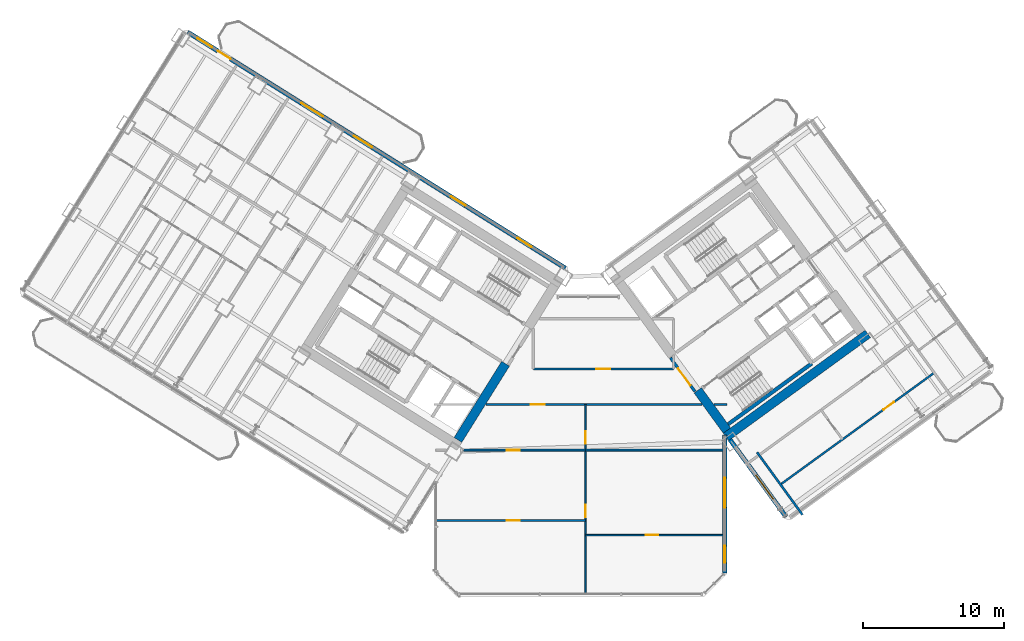
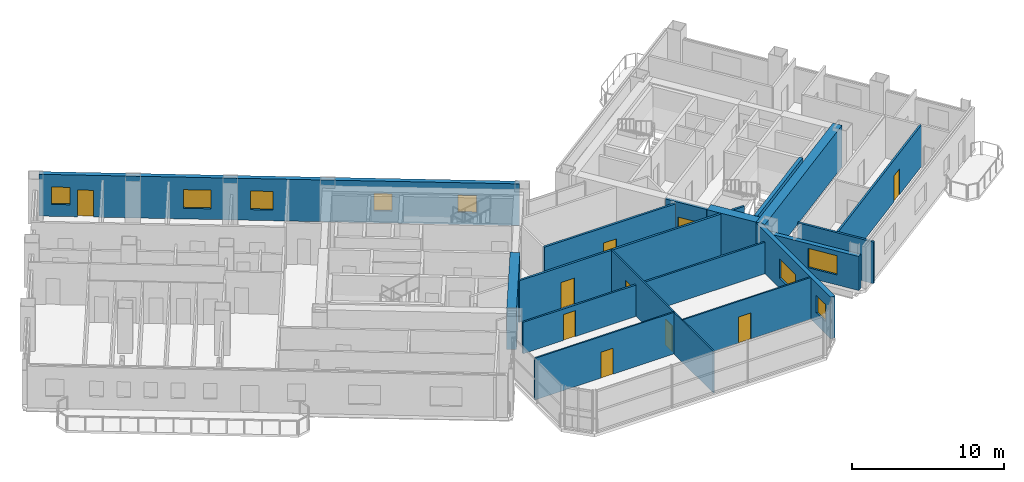
# One storey, part 17 of 28: 18 walls, 10 doors, 8 windows, 18 openings.
"""IFC4 building model written with IfcOpenShell, lengths in metres."""

from ifc_helpers import new_model, si_unit, direction, frame, frame_2d, origin, place, context, subcontext, project, spatial, rectangle, extrude, source, transform, mapped, material, layer, layer_set, type_object, element, fill, save


model = new_model("IFC4")

# Units and contexts
model_context = context("Model", 3, precision=1e-05, world=origin(), true_north=direction((0.0, 1.0)))
body_context = subcontext(model_context, "Body", "Model", "MODEL_VIEW")
ifc_project = project(units=[si_unit("LENGTHUNIT", "METRE"), si_unit("AREAUNIT", "SQUARE_METRE"), si_unit("VOLUMEUNIT", "CUBIC_METRE"), si_unit("PLANEANGLEUNIT", "RADIAN"), si_unit("MASSUNIT", "GRAM", prefix="KILO")], contexts=[model_context])

# Site, building, storey
site_placement = place(None, origin())
site = spatial("IfcSite", under=ifc_project, at=site_placement, CompositionType="ELEMENT")
building_placement = place(site_placement, origin())
building = spatial("IfcBuilding", under=site, at=building_placement, Name="Tlacorven Tower", CompositionType="ELEMENT")
storey_placement = place(building_placement, frame((0.0, 0.0, 63.60009765625)))
storey = spatial("IfcBuildingStorey", under=building, at=storey_placement, Name="L16", CompositionType="ELEMENT", Elevation=63.60009765625)

# Walls
ifc_material_1 = material(Name="Concrete C60/75", Category="concrete")
ifc_layer_1 = layer(ifc_material_1, 0.64990234375)
ifc_layer_set_1 = layer_set([ifc_layer_1], Name="Concrete C60/75")
wall_type_1 = type_object("IfcWallType", Name="WL-COR-650", PredefinedType="SHEAR", material=ifc_layer_set_1)
wall_1_placement = place(storey_placement, frame((36.683349609375, 18.30419921875, 0.0), z_axis=(0.0, 0.0, 1.0), x_axis=(-0.529899109053, -0.848060690178, 0.0)))
element("IfcWall", 1, at=wall_1_placement, inside=storey, type_object=wall_type_1, Name="L16 W core end wall E1.2", PredefinedType="SHEAR", context=body_context, shape_type="SweptSolid", body=[
    extrude(rectangle(XDim=6.375244140625, YDim=0.64990234375, at=frame_2d((3.1875, 0.0))), origin(), (0.0, 0.0, 1.0), 3.349853515625),
])
wall_2_placement = place(storey_placement, frame((52.318359375, 13.1103515625, 0.0), z_axis=(0.0, 0.0, 1.0), x_axis=(0.809019445368, 0.587781878776, 0.0)))
element("IfcWall", 2, at=wall_2_placement, inside=storey, type_object=wall_type_1, Name="L16 E core shear wall S1", PredefinedType="SHEAR", context=body_context, shape_type="SweptSolid", body=[
    extrude(rectangle(XDim=12.43994140625, YDim=0.64990234375, at=frame_2d((6.219970703125, 0.0))), origin(), (0.0, 0.0, 1.0), 3.349853515625),
])
wall_3_placement = place(storey_placement, frame((52.390380859375, 13.564208984375, 0.0), z_axis=(0.0, 0.0, 1.0), x_axis=(-0.58779688989, 0.809008539037, 0.0)))
element("IfcWall", 3, at=wall_3_placement, inside=storey, type_object=wall_type_1, Name="L16 E core end wall E1.1", PredefinedType="SHEAR", context=body_context, shape_type="SweptSolid", body=[
    extrude(rectangle(XDim=3.525146484375, YDim=0.64990234375, at=frame_2d((1.7626953125, 0.0))), origin(), (0.0, 0.0, 1.0), 3.349853515625),
])

# Wall, opening, door
ifc_material_2 = material(Name="Gypsum plasterboard acoustic partition", Category="gypsum")
ifc_layer_2 = layer(ifc_material_2, 0.159912109375)
ifc_layer_set_2 = layer_set([ifc_layer_2], Name="Gypsum plasterboard acoustic partition")
wall_type_2 = type_object("IfcWallType", Name="WL-DEM-160", PredefinedType="PARTITIONING", material=ifc_layer_set_2)
wall_4_placement = place(storey_placement, frame((35.29638671875, 15.419921875, 0.0), z_axis=(0.0, 0.0, 1.0), x_axis=(1.0, 0.0, 0.0)))
wall_4 = element("IfcWall", 4, at=wall_4_placement, inside=storey, type_object=wall_type_2, Name="L16 Knuckle Corridor South Wall", PredefinedType="PARTITIONING", context=body_context, shape_type="SweptSolid", body=[
    extrude(rectangle(XDim=15.310546875, YDim=0.159912109375, at=frame_2d((7.6552734375, 0.0))), origin(), (0.0, 0.0, 1.0), 3.33984375),
])
opening_1_placement = place(wall_4_placement, frame((3.17578125, 0.0, 0.0)))
opening_1 = element("IfcOpeningElement", 5, at=opening_1_placement, cuts=wall_4, Name="Opening D11", PredefinedType="OPENING", context=body_context, shape_type="SweptSolid", body=[
    extrude(rectangle(XDim=1.0, YDim=2.10009765625, at=frame_2d((0.5, 1.050048828125))), frame((0.0, 0.08984375, 0.0), z_axis=(0.0, -1.0, 0.0), x_axis=(1.0, 0.0, 0.0)), (0.0, 0.0, 1.0), 0.179931640625),
])
ifc_material_3 = material(Name="Fire-rated steel door assembly", Category="steel")
door_type_1 = type_object("IfcDoorType", Name="DR-FLT-FD60-1000", OperationType="NOTDEFINED", PredefinedType="DOOR", material=ifc_material_3)
shared_shape_1 = source(origin(), body_context, "Body", "SweptSolid", [
    extrude(rectangle(XDim=1.0, YDim=2.10009765625, at=frame_2d((0.5, 1.050048828125))), frame((0.0, 0.02490234375, 0.0), z_axis=(0.0, -1.0, 0.0), x_axis=(1.0, 0.0, 0.0)), (0.0, 0.0, 1.0), 0.050048828125),
])
door_1_placement = place(opening_1_placement, frame((1.0, 0.0, 0.0), z_axis=(0.0, 0.0, 1.0), x_axis=(-1.0, 0.0, 0.0)))
door_1 = element("IfcDoor", 6, at=door_1_placement, inside=storey, type_object=door_type_1, Name="L16 door 051", OperationType="SINGLE_SWING_LEFT", OverallHeight=2.10009765625, OverallWidth=1.0, PredefinedType="DOOR", context=body_context, shape_type="MappedRepresentation", body=[
    mapped(shared_shape_1, transform((0.0, 0.0, 0.0), scale=1.0)),
])
fill(opening_1, door_1)

# Wall
wall_5_placement = place(storey_placement, frame((51.477294921875, 15.419921875, 0.0), z_axis=(0.0, 0.0, 1.0), x_axis=(1.0, 0.0, 0.0)))
element("IfcWall", 7, at=wall_5_placement, inside=storey, type_object=wall_type_2, Name="L16 Knuckle Corridor South Wall", PredefinedType="PARTITIONING", context=body_context, shape_type="SweptSolid", body=[
    extrude(rectangle(XDim=0.922607421875, YDim=0.159912109375, at=frame_2d((0.46142578125, 0.0))), origin(), (0.0, 0.0, 1.0), 3.33984375),
])

# Wall, opening, door
wall_6_placement = place(storey_placement, frame((38.64990234375, 17.929931640625, 0.0), z_axis=(0.0, 0.0, 1.0), x_axis=(1.0, 0.0, 0.0)))
wall_6 = element("IfcWall", 8, at=wall_6_placement, inside=storey, type_object=wall_type_2, Name="L16 partition 79", PredefinedType="PARTITIONING", context=body_context, shape_type="SweptSolid", body=[
    extrude(rectangle(XDim=9.9501953125, YDim=0.159912109375, at=frame_2d((4.97509765625, 0.0))), origin(), (0.0, 0.0, 1.0), 3.33984375),
])
opening_2_placement = place(wall_6_placement, frame((4.47509765625, 0.0, 0.0)))
opening_2 = element("IfcOpeningElement", 9, at=opening_2_placement, cuts=wall_6, Name="Opening D11", PredefinedType="OPENING", context=body_context, shape_type="SweptSolid", body=[
    extrude(rectangle(XDim=1.0, YDim=2.10009765625, at=frame_2d((0.5, 1.050048828125))), frame((0.0, 0.08984375, 0.0), z_axis=(0.0, -1.0, 0.0), x_axis=(1.0, 0.0, 0.0)), (0.0, 0.0, 1.0), 0.179931640625),
])
door_2_placement = place(opening_2_placement, origin())
door_2 = element("IfcDoor", 10, at=door_2_placement, inside=storey, type_object=door_type_1, Name="L16 door 045", OperationType="SINGLE_SWING_LEFT", OverallHeight=2.10009765625, OverallWidth=1.0, PredefinedType="DOOR", context=body_context, shape_type="MappedRepresentation", body=[
    mapped(shared_shape_1, transform((0.0, 0.0, 0.0), scale=1.0)),
])
fill(opening_2, door_2)

# Wall
wall_7_placement = place(storey_placement, frame((57.747314453125, 7.586181640625, 0.0), z_axis=(0.0, 0.0, 1.0), x_axis=(-0.587784893399, 0.809017255126, 0.0)))
element("IfcWall", 11, at=wall_7_placement, inside=storey, type_object=wall_type_2, Name="L16 EC West Throat Wall", PredefinedType="PARTITIONING", context=body_context, shape_type="SweptSolid", body=[
    extrude(rectangle(XDim=5.480224609375, YDim=0.159912109375, at=frame_2d((2.740234375, 0.0))), origin(), (0.0, 0.0, 1.0), 3.33984375),
])

# Wall, openings, door, windows
ifc_material_4 = material(Name="Precast concrete C45/55", Category="concrete")
ifc_layer_3 = layer(ifc_material_4, 0.320068359375)
ifc_layer_set_3 = layer_set([ifc_layer_3], Name="Precast concrete C45/55")
wall_type_3 = type_object("IfcWallType", Name="WL-EXT-320", PredefinedType="STANDARD", material=ifc_layer_set_3)
wall_8_placement = place(storey_placement, frame((14.13818359375, 41.825439453125, 0.0), z_axis=(0.0, 0.0, 1.0), x_axis=(0.848046498049, -0.529921821731, 0.0)))
wall_8 = element("IfcWall", 12, at=wall_8_placement, inside=storey, type_object=wall_type_3, Name="L16 Masonry-Frame Recessed Facade Wall 3", PredefinedType="STANDARD", context=body_context, shape_type="SweptSolid", body=[
    extrude(rectangle(XDim=31.587646484375, YDim=0.320068359375, at=frame_2d((15.7939453125, 0.0))), origin(), (0.0, 0.0, 1.0), 3.349853515625),
])
opening_3_placement = place(wall_8_placement, frame((2.525634765625, 0.0, 0.0)))
opening_3 = element("IfcOpeningElement", 13, at=opening_3_placement, cuts=wall_8, Name="Opening D06", PredefinedType="OPENING", context=body_context, shape_type="SweptSolid", body=[
    extrude(rectangle(XDim=1.050048828125, YDim=2.14990234375, at=frame_2d((0.52490234375, 1.074951171875))), frame((0.0, 0.169921875, 0.0), z_axis=(0.0, -1.0, 0.0), x_axis=(1.0, 0.0, 0.0)), (0.0, 0.0, 1.0), 0.340087890625),
])
opening_4_placement = place(wall_8_placement, frame((0.82470703125, 0.0, 0.949951171875)))
opening_4 = element("IfcOpeningElement", 14, at=opening_4_placement, cuts=wall_8, Name="Opening WN03", PredefinedType="OPENING", context=body_context, shape_type="SweptSolid", body=[
    extrude(rectangle(XDim=1.199951171875, YDim=1.39990234375, at=frame_2d((0.60009765625, 0.699951171875))), frame((0.0, 0.169921875, 0.0), z_axis=(0.0, -1.0, 0.0), x_axis=(1.0, 0.0, 0.0)), (0.0, 0.0, 1.0), 0.340087890625),
])
opening_5_placement = place(wall_8_placement, frame((9.501708984375, 0.0, 0.85009765625)))
opening_5 = element("IfcOpeningElement", 15, at=opening_5_placement, cuts=wall_8, Name="Opening WN01", PredefinedType="OPENING", context=body_context, shape_type="SweptSolid", body=[
    extrude(rectangle(XDim=1.800048828125, YDim=1.5, at=frame_2d((0.89990234375, 0.75))), frame((0.0, 0.169921875, 0.0), z_axis=(0.0, -1.0, 0.0), x_axis=(1.0, 0.0, 0.0)), (0.0, 0.0, 1.0), 0.340087890625),
])
opening_6_placement = place(wall_8_placement, frame((13.898681640625, 0.0, 0.85009765625)))
opening_6 = element("IfcOpeningElement", 16, at=opening_6_placement, cuts=wall_8, Name="Opening WN02", PredefinedType="OPENING", context=body_context, shape_type="SweptSolid", body=[
    extrude(rectangle(XDim=1.5, YDim=1.5, at=frame_2d((0.75, 0.75))), frame((0.0, 0.169921875, 0.0), z_axis=(0.0, -1.0, 0.0), x_axis=(1.0, 0.0, 0.0)), (0.0, 0.0, 1.0), 0.340087890625),
])
opening_7_placement = place(wall_8_placement, frame((22.018798828125, 0.0, 0.949951171875)))
opening_7 = element("IfcOpeningElement", 17, at=opening_7_placement, cuts=wall_8, Name="Opening WN03", PredefinedType="OPENING", context=body_context, shape_type="SweptSolid", body=[
    extrude(rectangle(XDim=1.199951171875, YDim=1.39990234375, at=frame_2d((0.60009765625, 0.699951171875))), frame((0.0, 0.169921875, 0.0), z_axis=(0.0, -1.0, 0.0), x_axis=(1.0, 0.0, 0.0)), (0.0, 0.0, 1.0), 0.340087890625),
])
opening_8_placement = place(wall_8_placement, frame((27.568603515625, 0.0, 0.949951171875)))
opening_8 = element("IfcOpeningElement", 18, at=opening_8_placement, cuts=wall_8, Name="Opening WN03", PredefinedType="OPENING", context=body_context, shape_type="SweptSolid", body=[
    extrude(rectangle(XDim=1.199951171875, YDim=1.39990234375, at=frame_2d((0.60009765625, 0.699951171875))), frame((0.0, 0.169921875, 0.0), z_axis=(0.0, -1.0, 0.0), x_axis=(1.0, 0.0, 0.0)), (0.0, 0.0, 1.0), 0.340087890625),
])
ifc_material_5 = material(Name="Powder-coated aluminium and timber door", Category="wood")
door_type_2 = type_object("IfcDoorType", Name="DR-EXT-BALC-1050", OperationType="NOTDEFINED", PredefinedType="DOOR", material=ifc_material_5)
shared_shape_2 = source(origin(), body_context, "Body", "SweptSolid", [
    extrude(rectangle(XDim=1.050048828125, YDim=2.14990234375, at=frame_2d((0.52490234375, 1.074951171875))), frame((0.0, 0.02490234375, 0.0), z_axis=(0.0, -1.0, 0.0), x_axis=(1.0, 0.0, 0.0)), (0.0, 0.0, 1.0), 0.050048828125),
])
door_3_placement = place(opening_3_placement, origin())
door_3 = element("IfcDoor", 19, at=door_3_placement, inside=storey, type_object=door_type_2, Name="L16 Outdoor Access Door BAL-L16-W-IN", OperationType="SINGLE_SWING_RIGHT", OverallHeight=2.14990234375, OverallWidth=1.050048828125, PredefinedType="DOOR", context=body_context, shape_type="MappedRepresentation", body=[
    mapped(shared_shape_2, transform((0.0, 0.0, 0.0), scale=1.0)),
])
fill(opening_3, door_3)
ifc_material_6 = material(Name="Dark solar low-E double glazing in anodised aluminium frame", Category="aluminium")
window_type_1 = type_object("IfcWindowType", Name="WN-APT-1200X1500", PartitioningType="SINGLE_PANEL", PredefinedType="WINDOW", material=ifc_material_6)
shared_shape_3 = source(origin(), body_context, "Body", "SweptSolid", [
    extrude(rectangle(XDim=1.199951171875, YDim=1.39990234375, at=frame_2d((0.60009765625, 0.699951171875))), frame((0.0, 0.030029296875, 0.0), z_axis=(0.0, -1.0, 0.0), x_axis=(1.0, 0.0, 0.0)), (0.0, 0.0, 1.0), 0.06005859375),
])
window_1_placement = place(opening_4_placement, origin())
window_1 = element("IfcWindow", 20, at=window_1_placement, inside=storey, type_object=window_type_1, Name="L16 Recessed Masonry-Frame Window L16-03.1", OverallHeight=1.39990234375, OverallWidth=1.199951171875, PartitioningType="SINGLE_PANEL", PredefinedType="WINDOW", context=body_context, shape_type="MappedRepresentation", body=[
    mapped(shared_shape_3, transform((0.0, 0.0, 0.0), scale=1.0)),
])
fill(opening_4, window_1)
window_2_placement = place(opening_7_placement, origin())
window_2 = element("IfcWindow", 21, at=window_2_placement, inside=storey, type_object=window_type_1, Name="L16 Recessed Masonry-Frame Window L16-03.4", OverallHeight=1.39990234375, OverallWidth=1.199951171875, PartitioningType="SINGLE_PANEL", PredefinedType="WINDOW", context=body_context, shape_type="MappedRepresentation", body=[
    mapped(shared_shape_3, transform((0.0, 0.0, 0.0), scale=1.0)),
])
fill(opening_7, window_2)
window_3_placement = place(opening_8_placement, origin())
window_3 = element("IfcWindow", 22, at=window_3_placement, inside=storey, type_object=window_type_1, Name="L16 Recessed Masonry-Frame Window L16-03.5", OverallHeight=1.39990234375, OverallWidth=1.199951171875, PartitioningType="SINGLE_PANEL", PredefinedType="WINDOW", context=body_context, shape_type="MappedRepresentation", body=[
    mapped(shared_shape_3, transform((0.0, 0.0, 0.0), scale=1.0)),
])
fill(opening_8, window_3)
window_type_2 = type_object("IfcWindowType", Name="WN-APT-1800X1650", PartitioningType="SINGLE_PANEL", PredefinedType="WINDOW", material=ifc_material_6)
shared_shape_4 = source(origin(), body_context, "Body", "SweptSolid", [
    extrude(rectangle(XDim=1.800048828125, YDim=1.5, at=frame_2d((0.89990234375, 0.75))), frame((0.0, 0.030029296875, 0.0), z_axis=(0.0, -1.0, 0.0), x_axis=(1.0, 0.0, 0.0)), (0.0, 0.0, 1.0), 0.06005859375),
])
window_4_placement = place(opening_5_placement, origin())
window_4 = element("IfcWindow", 23, at=window_4_placement, inside=storey, type_object=window_type_2, Name="L16 Recessed Masonry-Frame Window L16-03.2", OverallHeight=1.5, OverallWidth=1.800048828125, PartitioningType="SINGLE_PANEL", PredefinedType="WINDOW", context=body_context, shape_type="MappedRepresentation", body=[
    mapped(shared_shape_4, transform((0.0, 0.0, 0.0), scale=1.0)),
])
fill(opening_5, window_4)
window_type_3 = type_object("IfcWindowType", Name="WN-APT-1500X1650", PartitioningType="SINGLE_PANEL", PredefinedType="WINDOW", material=ifc_material_6)
shared_shape_5 = source(origin(), body_context, "Body", "SweptSolid", [
    extrude(rectangle(XDim=1.5, YDim=1.5, at=frame_2d((0.75, 0.75))), frame((0.0, 0.030029296875, 0.0), z_axis=(0.0, -1.0, 0.0), x_axis=(1.0, 0.0, 0.0)), (0.0, 0.0, 1.0), 0.06005859375),
])
window_5_placement = place(opening_6_placement, origin())
window_5 = element("IfcWindow", 24, at=window_5_placement, inside=storey, type_object=window_type_3, Name="L16 Recessed Masonry-Frame Window L16-03.3", OverallHeight=1.5, OverallWidth=1.5, PartitioningType="SINGLE_PANEL", PredefinedType="WINDOW", context=body_context, shape_type="MappedRepresentation", body=[
    mapped(shared_shape_5, transform((0.0, 0.0, 0.0), scale=1.0)),
])
fill(opening_6, window_5)

# Wall, opening, window
wall_9_placement = place(storey_placement, frame((56.5810546875, 7.43896484375, 0.0), z_axis=(0.0, 0.0, 1.0), x_axis=(-0.587785875463, 0.809016541614, 0.0)))
wall_9 = element("IfcWall", 25, at=wall_9_placement, inside=storey, type_object=wall_type_3, Name="L16 Masonry-Frame Recessed Facade Wall 7", PredefinedType="STANDARD", context=body_context, shape_type="SweptSolid", body=[
    extrude(rectangle(XDim=6.773681640625, YDim=0.320068359375, at=frame_2d((3.38671875, 0.0))), origin(), (0.0, 0.0, 1.0), 2.724853515625),
])
opening_9_placement = place(wall_9_placement, frame((1.55615234375, 0.0, 0.800048828125)))
opening_9 = element("IfcOpeningElement", 26, at=opening_9_placement, cuts=wall_9, Name="Opening WN04", PredefinedType="OPENING", context=body_context, shape_type="SweptSolid", body=[
    extrude(rectangle(XDim=2.10009765625, YDim=1.550048828125, at=frame_2d((1.050048828125, 0.77490234375))), frame((0.0, 0.169921875, 0.0), z_axis=(0.0, -1.0, 0.0), x_axis=(1.0, 0.0, 0.0)), (0.0, 0.0, 1.0), 0.340087890625),
])
window_type_4 = type_object("IfcWindowType", Name="WN-APT-2100X1750", PartitioningType="SINGLE_PANEL", PredefinedType="WINDOW", material=ifc_material_6)
shared_shape_6 = source(origin(), body_context, "Body", "SweptSolid", [
    extrude(rectangle(XDim=2.10009765625, YDim=1.550048828125, at=frame_2d((1.050048828125, 0.77490234375))), frame((0.0, 0.030029296875, 0.0), z_axis=(0.0, -1.0, 0.0), x_axis=(1.0, 0.0, 0.0)), (0.0, 0.0, 1.0), 0.06005859375),
])
window_6_placement = place(opening_9_placement, origin())
window_6 = element("IfcWindow", 27, at=window_6_placement, inside=storey, type_object=window_type_4, Name="L16 Recessed Masonry-Frame Window L16-07.1", OverallHeight=1.550048828125, OverallWidth=2.10009765625, PartitioningType="SINGLE_PANEL", PredefinedType="WINDOW", context=body_context, shape_type="MappedRepresentation", body=[
    mapped(shared_shape_6, transform((0.0, 0.0, 0.0), scale=1.0)),
])
fill(opening_9, window_6)

# Wall, openings, windows
wall_10_placement = place(storey_placement, frame((52.239990234375, 13.260986328125, 0.0), z_axis=(0.0, 0.0, 1.0), x_axis=(0.0, -1.0, 0.0)))
wall_10 = element("IfcWall", 28, at=wall_10_placement, inside=storey, type_object=wall_type_3, Name="L16 Masonry-Frame Recessed Facade Wall 8", PredefinedType="STANDARD", context=body_context, shape_type="SweptSolid", body=[
    extrude(rectangle(XDim=9.794677734375, YDim=0.320068359375, at=frame_2d((4.8974609375, 0.0))), origin(), (0.0, 0.0, 1.0), 3.349853515625),
])
opening_10_placement = place(wall_10_placement, frame((3.058349609375, 0.0, 0.800048828125)))
opening_10 = element("IfcOpeningElement", 29, at=opening_10_placement, cuts=wall_10, Name="Opening WN04", PredefinedType="OPENING", context=body_context, shape_type="SweptSolid", body=[
    extrude(rectangle(XDim=2.10009765625, YDim=1.550048828125, at=frame_2d((1.050048828125, 0.77490234375))), frame((0.0, 0.169921875, 0.0), z_axis=(0.0, -1.0, 0.0), x_axis=(1.0, 0.0, 0.0)), (0.0, 0.0, 1.0), 0.340087890625),
])
opening_11_placement = place(wall_10_placement, frame((7.880126953125, 0.0, 0.949951171875)))
opening_11 = element("IfcOpeningElement", 30, at=opening_11_placement, cuts=wall_10, Name="Opening WN03", PredefinedType="OPENING", context=body_context, shape_type="SweptSolid", body=[
    extrude(rectangle(XDim=1.199951171875, YDim=1.39990234375, at=frame_2d((0.60009765625, 0.699951171875))), frame((0.0, 0.169921875, 0.0), z_axis=(0.0, -1.0, 0.0), x_axis=(1.0, 0.0, 0.0)), (0.0, 0.0, 1.0), 0.340087890625),
])
window_7_placement = place(opening_10_placement, origin())
window_7 = element("IfcWindow", 31, at=window_7_placement, inside=storey, type_object=window_type_4, Name="L16 Recessed Masonry-Frame Window L16-08.1", OverallHeight=1.550048828125, OverallWidth=2.10009765625, PartitioningType="SINGLE_PANEL", PredefinedType="WINDOW", context=body_context, shape_type="MappedRepresentation", body=[
    mapped(shared_shape_6, transform((0.0, 0.0, 0.0), scale=1.0)),
])
fill(opening_10, window_7)
window_8_placement = place(opening_11_placement, origin())
window_8 = element("IfcWindow", 32, at=window_8_placement, inside=storey, type_object=window_type_1, Name="L16 Recessed Masonry-Frame Window L16-08.2", OverallHeight=1.39990234375, OverallWidth=1.199951171875, PartitioningType="SINGLE_PANEL", PredefinedType="WINDOW", context=body_context, shape_type="MappedRepresentation", body=[
    mapped(shared_shape_3, transform((0.0, 0.0, 0.0), scale=1.0)),
])
fill(opening_11, window_8)

# Wall, openings, doors
ifc_material_7 = material(Name="Gypsum plasterboard partition", Category="gypsum")
ifc_layer_4 = layer(ifc_material_7, 0.110107421875)
ifc_layer_set_4 = layer_set([ifc_layer_4], Name="Gypsum plasterboard partition")
wall_type_4 = type_object("IfcWallType", Name="WL-INT-110", PredefinedType="PARTITIONING", material=ifc_layer_set_4)
wall_11_placement = place(storey_placement, frame((42.343994140625, 1.9599609375, 0.0), z_axis=(0.0, 0.0, 1.0), x_axis=(0.0, 1.0, 0.0)))
wall_11 = element("IfcWall", 33, at=wall_11_placement, inside=storey, type_object=wall_type_4, Name="L16 partition 84", PredefinedType="PARTITIONING", context=body_context, shape_type="SweptSolid", body=[
    extrude(rectangle(XDim=13.4599609375, YDim=0.110107421875, at=frame_2d((6.72998046875, 0.0))), origin(), (0.0, 0.0, 1.0), 3.33984375),
])
opening_12_placement = place(wall_11_placement, frame((5.43994140625, 0.0, 0.0)))
opening_12 = element("IfcOpeningElement", 34, at=opening_12_placement, cuts=wall_11, Name="Opening D12", PredefinedType="OPENING", context=body_context, shape_type="SweptSolid", body=[
    extrude(rectangle(XDim=0.919921875, YDim=2.080078125, at=frame_2d((0.4599609375, 1.0400390625))), frame((0.0, 0.06494140625, 0.0), z_axis=(0.0, -1.0, 0.0), x_axis=(1.0, 0.0, 0.0)), (0.0, 0.0, 1.0), 0.130126953125),
])
opening_13_placement = place(wall_11_placement, frame((10.669921875, 0.0, 0.0)))
opening_13 = element("IfcOpeningElement", 35, at=opening_13_placement, cuts=wall_11, Name="Opening D13", PredefinedType="OPENING", context=body_context, shape_type="SweptSolid", body=[
    extrude(rectangle(XDim=0.8798828125, YDim=2.080078125, at=frame_2d((0.43994140625, 1.0400390625))), frame((0.0, 0.06494140625, 0.0), z_axis=(0.0, -1.0, 0.0), x_axis=(1.0, 0.0, 0.0)), (0.0, 0.0, 1.0), 0.130126953125),
])
door_type_3 = type_object("IfcDoorType", Name="DR-INT-WET-0880", OperationType="NOTDEFINED", PredefinedType="DOOR", material=ifc_material_5)
shared_shape_7 = source(origin(), body_context, "Body", "SweptSolid", [
    extrude(rectangle(XDim=0.8798828125, YDim=2.080078125, at=frame_2d((0.43994140625, 1.0400390625))), frame((0.0, 0.02490234375, 0.0), z_axis=(0.0, -1.0, 0.0), x_axis=(1.0, 0.0, 0.0)), (0.0, 0.0, 1.0), 0.050048828125),
])
door_4_placement = place(opening_13_placement, origin())
door_4 = element("IfcDoor", 36, at=door_4_placement, inside=storey, type_object=door_type_3, Name="L16 door 053", OperationType="SINGLE_SWING_LEFT", OverallHeight=2.080078125, OverallWidth=0.8798828125, PredefinedType="DOOR", context=body_context, shape_type="MappedRepresentation", body=[
    mapped(shared_shape_7, transform((0.0, 0.0, 0.0), scale=1.0)),
])
fill(opening_13, door_4)
door_type_4 = type_object("IfcDoorType", Name="DR-INT-ROOM-0920", OperationType="NOTDEFINED", PredefinedType="DOOR", material=ifc_material_5)
shared_shape_8 = source(origin(), body_context, "Body", "SweptSolid", [
    extrude(rectangle(XDim=0.919921875, YDim=2.080078125, at=frame_2d((0.4599609375, 1.0400390625))), frame((0.0, 0.02490234375, 0.0), z_axis=(0.0, -1.0, 0.0), x_axis=(1.0, 0.0, 0.0)), (0.0, 0.0, 1.0), 0.050048828125),
])
door_5_placement = place(opening_12_placement, origin())
door_5 = element("IfcDoor", 37, at=door_5_placement, inside=storey, type_object=door_type_4, Name="L16 door 049", OperationType="SINGLE_SWING_LEFT", OverallHeight=2.080078125, OverallWidth=0.919921875, PredefinedType="DOOR", context=body_context, shape_type="MappedRepresentation", body=[
    mapped(shared_shape_8, transform((0.0, 0.0, 0.0), scale=1.0)),
])
fill(opening_12, door_5)

# Wall, opening, door
wall_12_placement = place(storey_placement, frame((31.739990234375, 7.18505859375, 0.0), z_axis=(0.0, 0.0, 1.0), x_axis=(1.0, 0.0, 0.0)))
wall_12 = element("IfcWall", 38, at=wall_12_placement, inside=storey, type_object=wall_type_4, Name="L16 partition 87", PredefinedType="PARTITIONING", context=body_context, shape_type="SweptSolid", body=[
    extrude(rectangle(XDim=10.60400390625, YDim=0.110107421875, at=frame_2d((5.302001953125, 0.0))), origin(), (0.0, 0.0, 1.0), 3.33984375),
])
opening_14_placement = place(wall_12_placement, frame((5.02197265625, 0.0, 0.0)))
opening_14 = element("IfcOpeningElement", 39, at=opening_14_placement, cuts=wall_12, Name="Opening D12", PredefinedType="OPENING", context=body_context, shape_type="SweptSolid", body=[
    extrude(rectangle(XDim=0.919921875, YDim=2.080078125, at=frame_2d((0.4599609375, 1.0400390625))), frame((0.0, 0.06494140625, 0.0), z_axis=(0.0, -1.0, 0.0), x_axis=(1.0, 0.0, 0.0)), (0.0, 0.0, 1.0), 0.130126953125),
])
door_6_placement = place(opening_14_placement, frame((0.919921875, 0.0, 0.0), z_axis=(0.0, 0.0, 1.0), x_axis=(-1.0, 0.0, 0.0)))
door_6 = element("IfcDoor", 40, at=door_6_placement, inside=storey, type_object=door_type_4, Name="L16 door 048", OperationType="SINGLE_SWING_RIGHT", OverallHeight=2.080078125, OverallWidth=0.919921875, PredefinedType="DOOR", context=body_context, shape_type="MappedRepresentation", body=[
    mapped(shared_shape_8, transform((0.0, 0.0, 0.0), scale=1.0)),
])
fill(opening_14, door_6)

wall_13_placement = place(storey_placement, frame((42.343994140625, 6.14990234375, 0.0), z_axis=(0.0, 0.0, 1.0), x_axis=(1.0, 0.0, 0.0)))
wall_13 = element("IfcWall", 41, at=wall_13_placement, inside=storey, type_object=wall_type_4, Name="L16 partition 88", PredefinedType="PARTITIONING", context=body_context, shape_type="SweptSolid", body=[
    extrude(rectangle(XDim=9.916015625, YDim=0.110107421875, at=frame_2d((4.9580078125, 0.0))), origin(), (0.0, 0.0, 1.0), 3.33984375),
])
opening_15_placement = place(wall_13_placement, frame((4.26806640625, 0.0, 0.0)))
opening_15 = element("IfcOpeningElement", 42, at=opening_15_placement, cuts=wall_13, Name="Opening D12", PredefinedType="OPENING", context=body_context, shape_type="SweptSolid", body=[
    extrude(rectangle(XDim=0.919921875, YDim=2.080078125, at=frame_2d((0.4599609375, 1.0400390625))), frame((0.0, 0.06494140625, 0.0), z_axis=(0.0, -1.0, 0.0), x_axis=(1.0, 0.0, 0.0)), (0.0, 0.0, 1.0), 0.130126953125),
])
door_7_placement = place(opening_15_placement, origin())
door_7 = element("IfcDoor", 43, at=door_7_placement, inside=storey, type_object=door_type_4, Name="L16 door 050", OperationType="SINGLE_SWING_RIGHT", OverallHeight=2.080078125, OverallWidth=0.919921875, PredefinedType="DOOR", context=body_context, shape_type="MappedRepresentation", body=[
    mapped(shared_shape_8, transform((0.0, 0.0, 0.0), scale=1.0)),
])
fill(opening_15, door_7)

ifc_material_8 = material(Name="Moisture-resistant gypsum plumbing wall", Category="gypsum")
ifc_layer_5 = layer(ifc_material_8, 0.139892578125)
ifc_layer_set_5 = layer_set([ifc_layer_5], Name="Moisture-resistant gypsum plumbing wall")
wall_type_5 = type_object("IfcWallType", Name="WL-PLM-140", PredefinedType="PLUMBINGWALL", material=ifc_layer_set_5)
wall_14_placement = place(storey_placement, frame((33.701904296875, 12.169921875, 0.0), z_axis=(0.0, 0.0, 1.0), x_axis=(1.0, 0.0, 0.0)))
wall_14 = element("IfcWall", 44, at=wall_14_placement, inside=storey, type_object=wall_type_5, Name="L16 partition 85", PredefinedType="PLUMBINGWALL", context=body_context, shape_type="SweptSolid", body=[
    extrude(rectangle(XDim=8.64208984375, YDim=0.139892578125, at=frame_2d((4.321044921875, 0.0))), origin(), (0.0, 0.0, 1.0), 2.52490234375),
])
opening_16_placement = place(wall_14_placement, frame((3.060302734375, 0.0, 0.0)))
opening_16 = element("IfcOpeningElement", 45, at=opening_16_placement, cuts=wall_14, Name="Opening D12", PredefinedType="OPENING", context=body_context, shape_type="SweptSolid", body=[
    extrude(rectangle(XDim=0.919921875, YDim=2.080078125, at=frame_2d((0.4599609375, 1.0400390625))), frame((0.0, 0.080078125, 0.0), z_axis=(0.0, -1.0, 0.0), x_axis=(1.0, 0.0, 0.0)), (0.0, 0.0, 1.0), 0.159912109375),
])
door_8_placement = place(opening_16_placement, frame((0.919921875, 0.0, 0.0), z_axis=(0.0, 0.0, 1.0), x_axis=(-1.0, 0.0, 0.0)))
door_8 = element("IfcDoor", 46, at=door_8_placement, inside=storey, type_object=door_type_4, Name="L16 door 052", OperationType="SINGLE_SWING_RIGHT", OverallHeight=2.080078125, OverallWidth=0.919921875, PredefinedType="DOOR", context=body_context, shape_type="MappedRepresentation", body=[
    mapped(shared_shape_8, transform((0.0, 0.0, 0.0), scale=1.0)),
])
fill(opening_16, door_8)

# Wall
wall_15_placement = place(storey_placement, frame((42.343994140625, 12.169921875, 0.0), z_axis=(0.0, 0.0, 1.0), x_axis=(1.0, 0.0, 0.0)))
element("IfcWall", 47, at=wall_15_placement, inside=storey, type_object=wall_type_5, Name="L16 partition 86", PredefinedType="PLUMBINGWALL", context=body_context, shape_type="SweptSolid", body=[
    extrude(rectangle(XDim=9.916015625, YDim=0.139892578125, at=frame_2d((4.9580078125, 0.0))), origin(), (0.0, 0.0, 1.0), 2.52490234375),
])

# Wall, opening, door
wall_16_placement = place(storey_placement, frame((56.24853515625, 9.78515625, 0.0), z_axis=(0.0, 0.0, 1.0), x_axis=(0.809011747655, 0.587792473715, 0.0)))
wall_16 = element("IfcWall", 48, at=wall_16_placement, inside=storey, type_object=wall_type_5, Name="L16 partition 100", PredefinedType="PLUMBINGWALL", context=body_context, shape_type="SweptSolid", body=[
    extrude(rectangle(XDim=13.400146484375, YDim=0.139892578125, at=frame_2d((6.7001953125, 0.0))), origin(), (0.0, 0.0, 1.0), 3.33984375),
])
opening_17_placement = place(wall_16_placement, frame((8.93994140625, 0.0, 0.0)))
opening_17 = element("IfcOpeningElement", 49, at=opening_17_placement, cuts=wall_16, Name="Opening D12", PredefinedType="OPENING", context=body_context, shape_type="SweptSolid", body=[
    extrude(rectangle(XDim=0.919921875, YDim=2.080078125, at=frame_2d((0.4599609375, 1.0400390625))), frame((0.0, 0.080078125, 0.0), z_axis=(0.0, -1.0, 0.0), x_axis=(1.0, 0.0, 0.0)), (0.0, 0.0, 1.0), 0.159912109375),
])
door_9_placement = place(opening_17_placement, origin())
door_9 = element("IfcDoor", 50, at=door_9_placement, inside=storey, type_object=door_type_4, Name="L16 door 060", OperationType="SINGLE_SWING_RIGHT", OverallHeight=2.080078125, OverallWidth=0.919921875, PredefinedType="DOOR", context=body_context, shape_type="MappedRepresentation", body=[
    mapped(shared_shape_8, transform((0.0, 0.0, 0.0), scale=1.0)),
])
fill(opening_17, door_9)

ifc_material_9 = material(Name="Concrete C40/50", Category="concrete")
ifc_layer_6 = layer(ifc_material_9, 0.199951171875)
ifc_layer_set_6 = layer_set([ifc_layer_6], Name="Concrete C40/50")
wall_type_6 = type_object("IfcWallType", Name="WL-SHF-200", PredefinedType="STANDARD", material=ifc_layer_set_6)
wall_17_placement = place(storey_placement, frame((50.119140625, 16.3330078125, 0.0), z_axis=(0.0, 0.0, 1.0), x_axis=(-0.587749856981, 0.809042709391, 0.0)))
wall_17 = element("IfcWall", 51, at=wall_17_placement, inside=storey, type_object=wall_type_6, Name="L16 partition 83", PredefinedType="STANDARD", context=body_context, shape_type="SweptSolid", body=[
    extrude(rectangle(XDim=2.9599609375, YDim=0.199951171875, at=frame_2d((1.47998046875, 0.0))), origin(), (0.0, 0.0, 1.0), 3.33984375),
])
opening_18_placement = place(wall_17_placement, frame((0.530029296875, 0.0, 0.0)))
opening_18 = element("IfcOpeningElement", 52, at=opening_18_placement, cuts=wall_17, Name="Opening D10", PredefinedType="OPENING", context=body_context, shape_type="SweptSolid", body=[
    extrude(rectangle(XDim=1.5, YDim=2.14990234375, at=frame_2d((0.75, 1.074951171875))), frame((0.0, 0.10986328125, 0.0), z_axis=(0.0, -1.0, 0.0), x_axis=(1.0, 0.0, 0.0)), (0.0, 0.0, 1.0), 0.219970703125),
])
door_type_5 = type_object("IfcDoorType", Name="DR-LOB-FD60-1500", OperationType="DOUBLE_DOOR_SINGLE_SWING", PredefinedType="DOOR", material=ifc_material_3)
shared_shape_9 = source(origin(), body_context, "Body", "SweptSolid", [
    extrude(rectangle(XDim=1.5, YDim=2.14990234375, at=frame_2d((0.75, 1.074951171875))), frame((0.0, 0.02490234375, 0.0), z_axis=(0.0, -1.0, 0.0), x_axis=(1.0, 0.0, 0.0)), (0.0, 0.0, 1.0), 0.050048828125),
])
door_10_placement = place(opening_18_placement, frame((1.5, 0.0, 0.0), z_axis=(0.0, 0.0, 1.0), x_axis=(-1.0, 0.0, 0.0)))
door_10 = element("IfcDoor", 53, at=door_10_placement, inside=storey, type_object=door_type_5, Name="L16 door 047", OperationType="DOUBLE_DOOR_SINGLE_SWING", OverallHeight=2.14990234375, OverallWidth=1.5, PredefinedType="DOOR", context=body_context, shape_type="MappedRepresentation", body=[
    mapped(shared_shape_9, transform((0.0, 0.0, 0.0), scale=1.0)),
])
fill(opening_18, door_10)

# Wall
ifc_material_10 = material(Name="Concrete C50/60", Category="concrete")
ifc_layer_7 = layer(ifc_material_10, 0.260009765625)
ifc_layer_set_7 = layer_set([ifc_layer_7], Name="Concrete C50/60")
wall_type_7 = type_object("IfcWallType", Name="WL-STW-260", PredefinedType="SHEAR", material=ifc_layer_set_7)
wall_18_placement = place(storey_placement, frame((52.47216796875, 14.01318359375, 0.0), z_axis=(0.0, 0.0, 1.0), x_axis=(0.809028366311, 0.587769599847, 0.0)))
element("IfcWall", 54, at=wall_18_placement, inside=storey, type_object=wall_type_7, Name="L16 Stair E2 Far Shear Wall", PredefinedType="SHEAR", context=body_context, shape_type="SweptSolid", body=[
    extrude(rectangle(XDim=7.330078125, YDim=0.260009765625, at=frame_2d((3.6650390625, 0.0))), origin(), (0.0, 0.0, 1.0), 3.349853515625),
])

save(model, "model.ifc")
